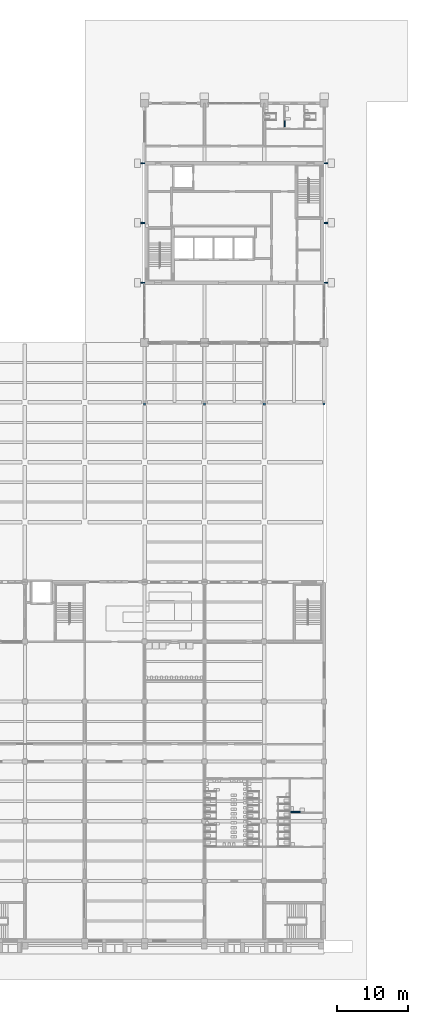
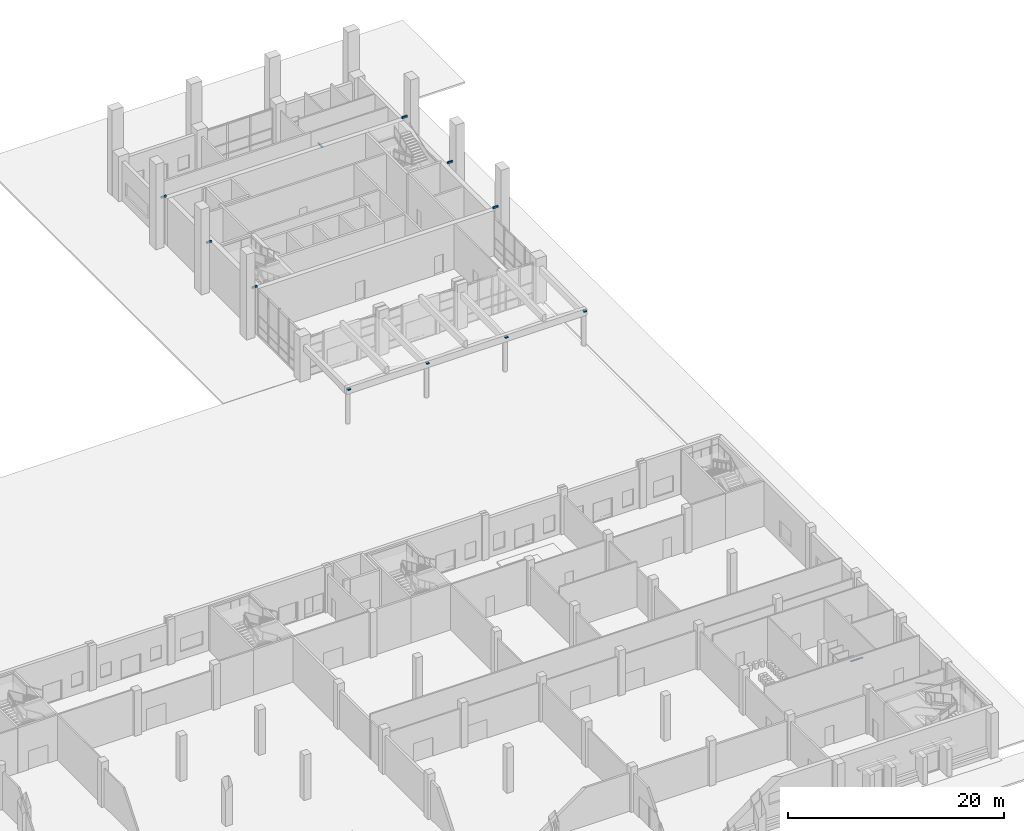
# One storey, part 47 of 74: 13 discrete accessories.
"""IFC4 building model written with IfcOpenShell, lengths in metres."""

from ifc_helpers import new_model, si_unit, direction, frame, origin, origin_2d, place, context, subcontext, project, spatial, rectangle, extrude, material, type_object, element, save


model = new_model("IFC4")

# Units and contexts
model_context = context("Model", 3, precision=1e-05, world=origin(), true_north=direction((0.0, 1.0)))
body_context = subcontext(model_context, "Body", "Model", "MODEL_VIEW")
ifc_project = project(units=[si_unit("LENGTHUNIT", "METRE"), si_unit("AREAUNIT", "SQUARE_METRE"), si_unit("VOLUMEUNIT", "CUBIC_METRE"), si_unit("PLANEANGLEUNIT", "RADIAN"), si_unit("MASSUNIT", "GRAM", prefix="KILO")], contexts=[model_context])

# Site, building, storey
site_placement = place(None, origin())
site = spatial("IfcSite", under=ifc_project, at=site_placement, CompositionType="ELEMENT")
building_placement = place(site_placement, origin())
building = spatial("IfcBuilding", under=site, at=building_placement, Name="Rulbaag Community and Learning Centre", CompositionType="ELEMENT")
storey_placement = place(building_placement, origin())
storey = spatial("IfcBuildingStorey", under=building, at=storey_placement, Name="L00", CompositionType="ELEMENT", Elevation=0.0)

# Discrete accessories
ifc_material_1 = material(Name="Steel E350", Category="steel")
discrete_accessory_type_1 = type_object("IfcDiscreteAccessoryType", Name="BR-DB", PredefinedType="BRACKET", material=ifc_material_1)
for number, where, z_axis, x_axis, name in (
    (1, (142.52490234375, 92.39990234375, 5.14990234375), (0.0, 0.0, 1.0), (1.0, 0.0, 0.0), "Pier bracket"),
    (2, (142.52490234375, 100.800048828125, 5.14990234375), (0.0, 0.0, 1.0), (1.0, 0.0, 0.0), "Pier bracket"),
    (3, (142.52490234375, 109.199951171875, 5.14990234375), (0.0, 0.0, 1.0), (1.0, 0.0, 0.0), "Pier bracket"),
    (4, (168.27490234375, 92.39990234375, 5.14990234375), (0.0, 0.0, 1.0), (1.0, 0.0, 0.0), "Pier bracket"),
    (5, (168.27490234375, 100.800048828125, 5.14990234375), (0.0, 0.0, 1.0), (1.0, 0.0, 0.0), "Pier bracket"),
    (6, (168.27490234375, 109.199951171875, 5.14990234375), (0.0, 0.0, 1.0), (1.0, 0.0, 0.0), "Pier bracket"),
):
    element("IfcDiscreteAccessory", number, at=place(storey_placement, frame(where, z_axis=z_axis, x_axis=x_axis)), inside=storey, type_object=discrete_accessory_type_1, Name=name, PredefinedType="BRACKET", context=body_context, shape_type="SweptSolid", body=[
        extrude(rectangle(XDim=0.550048828125, YDim=0.14990234375, at=origin_2d()), origin(), (0.0, 0.0, 1.0), 0.199951171875),
    ])
ifc_material_2 = material(Name="Stainless steel grade 316", Category="steel")
discrete_accessory_type_2 = type_object("IfcDiscreteAccessoryType", Name="GR-800", PredefinedType="USERDEFINED", material=ifc_material_2)
for number, where, z_axis, x_axis, name in (
    (7, (163.72998046875, 18.0849609375, 0.72998046875), (0.0, 0.0, 1.0), (1.0, 0.0, 0.0), "Grab rail"),
    (8, (164.22998046875, 18.0849609375, 0.72998046875), (0.0, 0.0, 1.0), (1.0, 0.0, 0.0), "Grab rail"),
):
    element("IfcDiscreteAccessory", number, at=place(storey_placement, frame(where, z_axis=z_axis, x_axis=x_axis)), inside=storey, type_object=discrete_accessory_type_2, Name=name, ObjectType="GRAB RAIL", PredefinedType="USERDEFINED", context=body_context, shape_type="SweptSolid", body=[
        extrude(rectangle(XDim=0.800048828125, YDim=0.169921875, at=origin_2d()), origin(), (0.0, 0.0, 1.0), 0.0400390625),
    ])
discrete_accessory_placement = place(storey_placement, frame((162.485107421875, 114.72998046875, 0.72998046875), z_axis=(0.0, 0.0, 1.0), x_axis=(1.0, 0.0, 0.0)))
element("IfcDiscreteAccessory", 9, at=discrete_accessory_placement, inside=storey, type_object=discrete_accessory_type_2, Name="Grab rail", ObjectType="GRAB RAIL", PredefinedType="USERDEFINED", context=body_context, shape_type="SweptSolid", body=[
    extrude(rectangle(XDim=0.169921875, YDim=0.800048828125, at=origin_2d()), origin(), (0.0, 0.0, 1.0), 0.0400390625),
])
ifc_material_3 = material(Name="Concrete M40", Category="concrete")
discrete_accessory_type_3 = type_object("IfcDiscreteAccessoryType", Name="SC-1", PredefinedType="USERDEFINED", material=ifc_material_3)
for number, where, z_axis, x_axis, name in (
    (10, (142.800048828125, 75.39990234375, 3.875732421875), (0.0, 0.0, 1.0), (1.0, 0.0, 0.0), "Porch scupper"),
    (11, (151.199951171875, 75.39990234375, 3.875732421875), (0.0, 0.0, 1.0), (1.0, 0.0, 0.0), "Porch scupper"),
    (12, (159.60009765625, 75.39990234375, 3.875732421875), (0.0, 0.0, 1.0), (1.0, 0.0, 0.0), "Porch scupper"),
    (13, (168.0, 75.39990234375, 3.875732421875), (0.0, 0.0, 1.0), (1.0, 0.0, 0.0), "Porch scupper"),
):
    element("IfcDiscreteAccessory", number, at=place(storey_placement, frame(where, z_axis=z_axis, x_axis=x_axis)), inside=storey, type_object=discrete_accessory_type_3, Name=name, ObjectType="SCUPPER", PredefinedType="USERDEFINED", context=body_context, shape_type="SweptSolid", body=[
        extrude(rectangle(XDim=0.300048828125, YDim=0.300048828125, at=origin_2d()), origin(), (0.0, 0.0, 1.0), 0.1201171875),
    ])

save(model, "model.ifc")
